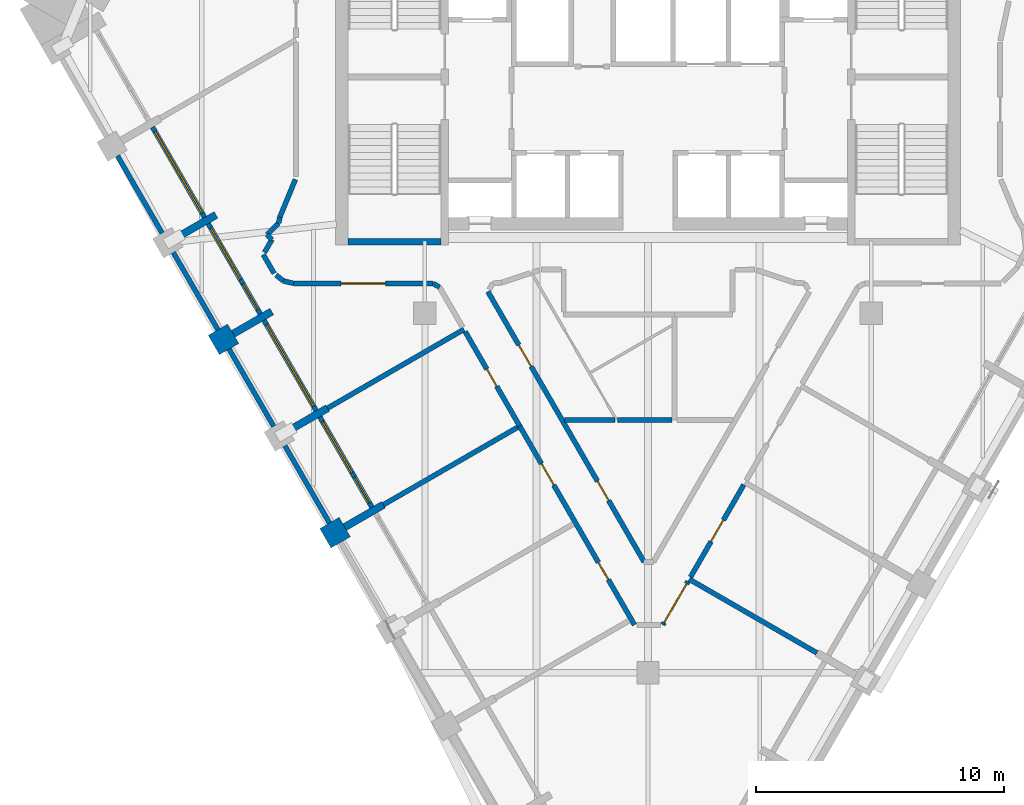
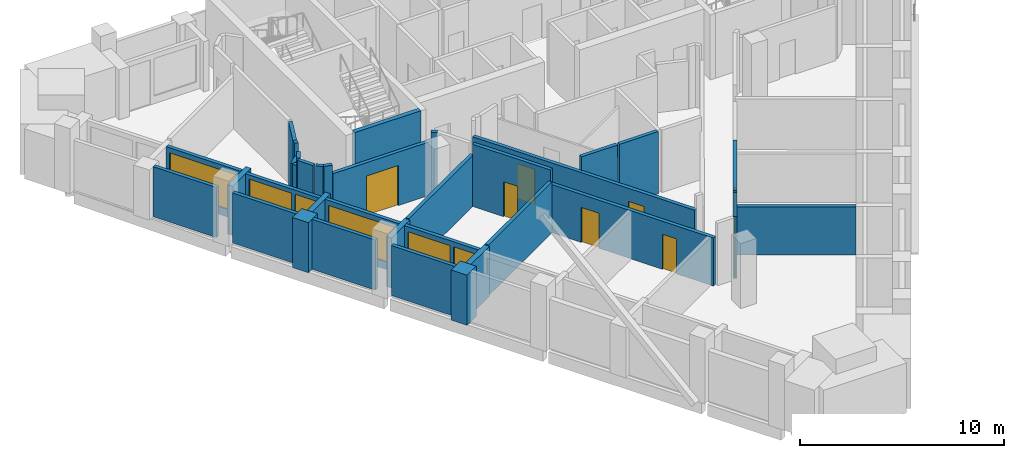
# One storey, part 3 of 9: 35 walls, 10 doors, 4 windows, 14 openings.
"""IFC4 building model written with IfcOpenShell, lengths in metres."""

from ifc_helpers import new_model, si_unit, direction, frame, frame_2d, origin, place, context, subcontext, project, spatial, rectangle, extrude, material, layer, layer_set, type_object, element, fill, save


model = new_model("IFC4")

# Units and contexts
model_context = context("Model", 3, precision=1e-05, world=origin(), true_north=direction((0.0, 1.0)))
body_context = subcontext(model_context, "Body", "Model", "MODEL_VIEW")
ifc_project = project(units=[si_unit("LENGTHUNIT", "METRE"), si_unit("AREAUNIT", "SQUARE_METRE"), si_unit("VOLUMEUNIT", "CUBIC_METRE"), si_unit("PLANEANGLEUNIT", "RADIAN"), si_unit("MASSUNIT", "GRAM", prefix="KILO")], contexts=[model_context])

# Site, building, storey
site_placement = place(None, origin())
site = spatial("IfcSite", under=ifc_project, at=site_placement, CompositionType="ELEMENT")
building_placement = place(site_placement, origin())
building = spatial("IfcBuilding", under=site, at=building_placement, Name="Calabash Gate Tower", CompositionType="ELEMENT")
storey_placement = place(building_placement, frame((0.0, 0.0, 256.0)))
storey = spatial("IfcBuildingStorey", under=building, at=storey_placement, Name="L61", CompositionType="ELEMENT", Elevation=256.0)

# Walls
ifc_material_1 = material(Name="Terracotta brick masonry, exposed face", Category="masonry")
ifc_layer_1 = layer(ifc_material_1, 0.89990234375)
ifc_layer_set_1 = layer_set([ifc_layer_1], Name="Brick end wall 900")
wall_type_1 = type_object("IfcWallType", Name="Brick end wall 900", PredefinedType="SOLIDWALL", material=ifc_layer_set_1)
for number, where, z_axis, x_axis, name in (
    (1, (-17.512451171875, 1.2158203125, 0.0), (0.0, 0.0, 1.0), (0.865896406789, 0.500223362819, 0.0), "Brick pier S17 SW0.3"),
    (2, (-13.012451171875, -6.578369140625, 0.0), (0.0, 0.0, 1.0), (0.866013897511, 0.50001992892, 0.0), "Brick pier S17 SW0.5"),
):
    element("IfcWall", number, at=place(storey_placement, frame(where, z_axis=z_axis, x_axis=x_axis)), inside=storey, type_object=wall_type_1, Name=name, PredefinedType="SOLIDWALL", context=body_context, shape_type="SweptSolid", body=[
        extrude(rectangle(XDim=0.89990234375, YDim=0.89990234375, at=frame_2d((0.449951171875, 0.0))), origin(), (0.0, 0.0, 1.0), 3.0),
    ])
ifc_material_2 = material(Name="Terracotta brick masonry, exposed face", Category="masonry")
ifc_layer_2 = layer(ifc_material_2, 0.300048828125)
ifc_layer_set_2 = layer_set([ifc_layer_2], Name="Brick loggia cheek wall 300")
wall_type_2 = type_object("IfcWallType", Name="Brick loggia cheek wall 300", PredefinedType="SOLIDWALL", material=ifc_layer_set_2)
wall_1_placement = place(storey_placement, frame((-17.42431640625, 6.462890625, 0.0), z_axis=(0.0, 0.0, 1.0), x_axis=(-0.866047807691, -0.499961193289, 0.0)))
element("IfcWall", 3, at=wall_1_placement, inside=storey, type_object=wall_type_2, Name="Loggia cheek S17 SW0.2", PredefinedType="SOLIDWALL", context=body_context, shape_type="SweptSolid", body=[
    extrude(rectangle(XDim=1.800048828125, YDim=0.300048828125, at=frame_2d((0.89990234375, 0.0))), origin(), (0.0, 0.0, 1.0), 2.9501953125),
])
for number, where, z_axis, x_axis, name in (
    (4, (-15.17431640625, 2.56591796875, 0.0), (0.0, 0.0, 1.0), (-0.866047807691, -0.499961193289, 0.0), "Loggia cheek S17 SW0.3"),
    (5, (-14.483154296875, -2.231201171875, 0.0), (0.0, 0.0, 1.0), (0.866047807691, 0.499961193289, 0.0), "Loggia cheek S17 SW0.4"),
    (6, (-12.233154296875, -6.12841796875, 0.0), (0.0, 0.0, 1.0), (0.865989075817, 0.500062916607, 0.0), "Loggia cheek S17 SW0.5"),
):
    element("IfcWall", number, at=place(storey_placement, frame(where, z_axis=z_axis, x_axis=x_axis)), inside=storey, type_object=wall_type_2, Name=name, PredefinedType="SOLIDWALL", context=body_context, shape_type="SweptSolid", body=[
        extrude(rectangle(XDim=1.800048828125, YDim=0.300048828125, at=frame_2d((0.89990234375, 0.0))), origin(), (0.0, 0.0, 1.0), 3.0),
    ])
ifc_material_3 = material(Name="Concrete C60/75", Category="concrete")
ifc_layer_3 = layer(ifc_material_3, 0.25)
ifc_layer_set_3 = layer_set([ifc_layer_3], Name="Core wall 250 Concrete C60/75")
wall_type_3 = type_object("IfcWallType", Name="Core wall 250 Concrete C60/75", PredefinedType="SHEAR", material=ifc_layer_set_3)
wall_2_placement = place(storey_placement, frame((-12.10009765625, 5.377685546875, 0.0), z_axis=(0.0, 0.0, 1.0), x_axis=(1.0, 0.0, 0.0)))
element("IfcWall", 7, at=wall_2_placement, inside=storey, type_object=wall_type_3, Name="Core wall Z5-SSW L61", PredefinedType="SHEAR", context=body_context, shape_type="SweptSolid", body=[
    extrude(rectangle(XDim=3.75, YDim=0.25, at=frame_2d((1.875, 0.0))), origin(), (0.0, 0.0, 1.0), 3.89990234375),
])

# Wall, openings, doors
ifc_material_4 = material(Name="Gypsum board on steel studs, mineral wool", Category="steel")
ifc_layer_4 = layer(ifc_material_4, 0.199951171875)
ifc_layer_set_4 = layer_set([ifc_layer_4], Name="Partition 200 gypsum board EI 60")
wall_type_4 = type_object("IfcWallType", Name="Partition 200 gypsum board EI 60", PredefinedType="PARTITIONING", material=ifc_layer_set_4)
wall_3_placement = place(storey_placement, frame((-5.176513671875, -2.054443359375, 0.0), z_axis=(0.0, 0.0, 1.0), x_axis=(0.499987206771, -0.866032789833, 0.0)))
wall_3 = element("IfcWall", 8, at=wall_3_placement, inside=storey, type_object=wall_type_4, Name="Partition", PredefinedType="PARTITIONING", context=body_context, shape_type="SweptSolid", body=[
    extrude(rectangle(XDim=9.259521484375, YDim=0.199951171875, at=frame_2d((4.6298828125, 0.0))), origin(), (0.0, 0.0, 1.0), 2.884033203125),
])
opening_1_placement = place(wall_3_placement, frame((1.75, 0.0, 0.0)))
opening_1 = element("IfcOpeningElement", 9, at=opening_1_placement, cuts=wall_3, Name="Opening 59-61-002", PredefinedType="OPENING", context=body_context, shape_type="SweptSolid", body=[
    extrude(rectangle(XDim=1.0, YDim=2.10009765625, at=frame_2d((0.5, 1.050048828125))), frame((0.0, 0.10986328125, 0.0), z_axis=(0.0, -1.0, 0.0), x_axis=(1.0, 0.0, 0.0)), (0.0, 0.0, 1.0), 0.219970703125),
])
opening_2_placement = place(wall_3_placement, frame((6.349853515625, 0.0, 0.0)))
opening_2 = element("IfcOpeningElement", 10, at=opening_2_placement, cuts=wall_3, Name="Opening 59-61-003", PredefinedType="OPENING", context=body_context, shape_type="SweptSolid", body=[
    extrude(rectangle(XDim=0.800048828125, YDim=2.10009765625, at=frame_2d((0.39990234375, 1.050048828125))), frame((0.0, 0.10986328125, 0.0), z_axis=(0.0, -1.0, 0.0), x_axis=(1.0, 0.0, 0.0)), (0.0, 0.0, 1.0), 0.219970703125),
])
ifc_material_5 = material(Name="Steel fire door set with fire-resisting glazing", Category="steel")
door_type_1 = type_object("IfcDoorType", Name="LD2 Meeting room door 1000x2100", OperationType="NOTDEFINED", PredefinedType="DOOR", material=ifc_material_5)
door_1_placement = place(opening_1_placement, origin())
door_1 = element("IfcDoor", 11, at=door_1_placement, inside=storey, type_object=door_type_1, Name="Meeting room door", OperationType="SINGLE_SWING_LEFT", OverallHeight=2.10009765625, OverallWidth=1.0, PredefinedType="DOOR", context=body_context, shape_type="SweptSolid", body=[
    extrude(rectangle(XDim=1.0, YDim=2.10009765625, at=frame_2d((0.5, 1.050048828125))), frame((0.0, 0.02490234375, 0.0), z_axis=(0.0, -1.0, 0.0), x_axis=(1.0, 0.0, 0.0)), (0.0, 0.0, 1.0), 0.050048828125),
])
fill(opening_1, door_1)
ifc_material_6 = material(Name="Painted timber door", Category="wood")
door_type_2 = type_object("IfcDoorType", Name="OD4 Phone booth door 800x2100", OperationType="NOTDEFINED", PredefinedType="DOOR", material=ifc_material_6)
door_2_placement = place(opening_2_placement, origin())
door_2 = element("IfcDoor", 12, at=door_2_placement, inside=storey, type_object=door_type_2, Name="Phone booth door", OperationType="SINGLE_SWING_LEFT", OverallHeight=2.10009765625, OverallWidth=0.800048828125, PredefinedType="DOOR", context=body_context, shape_type="SweptSolid", body=[
    extrude(rectangle(XDim=0.800048828125, YDim=2.10009765625, at=frame_2d((0.39990234375, 1.050048828125))), frame((0.0, 0.02490234375, 0.0), z_axis=(0.0, -1.0, 0.0), x_axis=(1.0, 0.0, 0.0)), (0.0, 0.0, 1.0), 0.050048828125),
])
fill(opening_2, door_2)

# Wall, opening, door
wall_4_placement = place(storey_placement, frame((0.597900390625, -10.072509765625, 0.0), z_axis=(0.0, 0.0, 1.0), x_axis=(0.500670744682, 0.865637802675, 0.0)))
wall_4 = element("IfcWall", 13, at=wall_4_placement, inside=storey, type_object=wall_type_4, Name="Partition", PredefinedType="PARTITIONING", context=body_context, shape_type="SweptSolid", body=[
    extrude(rectangle(XDim=2.027587890625, YDim=0.199951171875, at=frame_2d((1.013671875, 0.0))), origin(), (0.0, 0.0, 1.0), 3.72998046875),
])
opening_3_placement = place(wall_4_placement, frame((0.10693359375, 0.0, 0.0)))
opening_3 = element("IfcOpeningElement", 14, at=opening_3_placement, cuts=wall_4, Name="Opening 59-61-012", PredefinedType="OPENING", context=body_context, shape_type="SweptSolid", body=[
    extrude(rectangle(XDim=1.800048828125, YDim=2.39990234375, at=frame_2d((0.89990234375, 1.199951171875))), frame((0.0, 0.10986328125, 0.0), z_axis=(0.0, -1.0, 0.0), x_axis=(1.0, 0.0, 0.0)), (0.0, 0.0, 1.0), 0.219970703125),
])
ifc_material_7 = material(Name="Steel fire door set with fire-resisting glazing", Category="steel")
door_type_3 = type_object("IfcDoorType", Name="OD5 Open office double door 1800x2400", OperationType="NOTDEFINED", PredefinedType="DOOR", material=ifc_material_7)
door_3_placement = place(opening_3_placement, origin())
door_3 = element("IfcDoor", 15, at=door_3_placement, inside=storey, type_object=door_type_3, Name="Open office double door", OperationType="DOUBLE_DOOR_SINGLE_SWING", OverallHeight=2.39990234375, OverallWidth=1.800048828125, PredefinedType="DOOR", context=body_context, shape_type="SweptSolid", body=[
    extrude(rectangle(XDim=1.800048828125, YDim=2.39990234375, at=frame_2d((0.89990234375, 1.199951171875))), frame((0.0, 0.02490234375, 0.0), z_axis=(0.0, -1.0, 0.0), x_axis=(1.0, 0.0, 0.0)), (0.0, 0.0, 1.0), 0.050048828125),
])
fill(opening_3, door_3)

# Wall
wall_5_placement = place(storey_placement, frame((1.660888671875, -8.2314453125, 0.0), z_axis=(0.0, 0.0, 1.0), x_axis=(0.866162357873, -0.499762713499, 0.0)))
element("IfcWall", 16, at=wall_5_placement, inside=storey, type_object=wall_type_4, Name="Partition", PredefinedType="PARTITIONING", context=body_context, shape_type="SweptSolid", body=[
    extrude(rectangle(XDim=5.94970703125, YDim=0.199951171875, at=frame_2d((2.974853515625, 0.0))), origin(), (0.0, 0.0, 1.0), 2.884033203125),
])

# Wall, opening, door
wall_6_placement = place(storey_placement, frame((1.71337890625, -8.143798828125, 0.0), z_axis=(0.0, 0.0, 1.0), x_axis=(0.499986217557, 0.866033360935, 0.0)))
wall_6 = element("IfcWall", 17, at=wall_6_placement, inside=storey, type_object=wall_type_4, Name="Partition", PredefinedType="PARTITIONING", context=body_context, shape_type="SweptSolid", body=[
    extrude(rectangle(XDim=4.2998046875, YDim=0.199951171875, at=frame_2d((2.14990234375, 0.0))), origin(), (0.0, 0.0, 1.0), 3.72998046875),
])
opening_4_placement = place(wall_6_placement, frame((1.64990234375, 0.0, 0.0)))
opening_4 = element("IfcOpeningElement", 18, at=opening_4_placement, cuts=wall_6, Name="Opening 59-61-004", PredefinedType="OPENING", context=body_context, shape_type="SweptSolid", body=[
    extrude(rectangle(XDim=1.0, YDim=2.10009765625, at=frame_2d((0.5, 1.050048828125))), frame((0.0, 0.10986328125, 0.0), z_axis=(0.0, -1.0, 0.0), x_axis=(1.0, 0.0, 0.0)), (0.0, 0.0, 1.0), 0.219970703125),
])
door_4_placement = place(opening_4_placement, origin())
door_4 = element("IfcDoor", 19, at=door_4_placement, inside=storey, type_object=door_type_1, Name="Meeting room door", OperationType="SINGLE_SWING_LEFT", OverallHeight=2.10009765625, OverallWidth=1.0, PredefinedType="DOOR", context=body_context, shape_type="SweptSolid", body=[
    extrude(rectangle(XDim=1.0, YDim=2.10009765625, at=frame_2d((0.5, 1.050048828125))), frame((0.0, 0.02490234375, 0.0), z_axis=(0.0, -1.0, 0.0), x_axis=(1.0, 0.0, 0.0)), (0.0, 0.0, 1.0), 0.050048828125),
])
fill(opening_4, door_4)

# Wall
wall_7_placement = place(storey_placement, frame((-10.67431640625, -5.228515625, 0.0), z_axis=(0.0, 0.0, 1.0), x_axis=(0.866163474566, 0.4997607781, 0.0)))
element("IfcWall", 20, at=wall_7_placement, inside=storey, type_object=wall_type_4, Name="Partition", PredefinedType="PARTITIONING", context=body_context, shape_type="SweptSolid", body=[
    extrude(rectangle(XDim=6.25, YDim=0.199951171875, at=frame_2d((3.125, 0.0))), origin(), (0.0, 0.0, 1.0), 3.052001953125),
])

# Wall, opening, door
wall_8_placement = place(storey_placement, frame((-7.376708984375, 1.756103515625, 0.0), z_axis=(0.0, 0.0, 1.0), x_axis=(0.50001224981, -0.866018331238, 0.0)))
wall_8 = element("IfcWall", 21, at=wall_8_placement, inside=storey, type_object=wall_type_4, Name="Partition", PredefinedType="PARTITIONING", context=body_context, shape_type="SweptSolid", body=[
    extrude(rectangle(XDim=4.39990234375, YDim=0.199951171875, at=frame_2d((2.199951171875, 0.0))), origin(), (0.0, 0.0, 1.0), 3.72998046875),
])
opening_5_placement = place(wall_8_placement, frame((1.75, 0.0, 0.0)))
opening_5 = element("IfcOpeningElement", 22, at=opening_5_placement, cuts=wall_8, Name="Opening 59-61-001", PredefinedType="OPENING", context=body_context, shape_type="SweptSolid", body=[
    extrude(rectangle(XDim=0.800048828125, YDim=2.10009765625, at=frame_2d((0.39990234375, 1.050048828125))), frame((0.0, 0.10986328125, 0.0), z_axis=(0.0, -1.0, 0.0), x_axis=(1.0, 0.0, 0.0)), (0.0, 0.0, 1.0), 0.219970703125),
])
ifc_material_8 = material(Name="Steel fire door set with fire-resisting glazing", Category="steel")
door_type_4 = type_object("IfcDoorType", Name="SD2 Riser access door 800x2100", OperationType="NOTDEFINED", PredefinedType="DOOR", material=ifc_material_8)
door_5_placement = place(opening_5_placement, origin())
door_5 = element("IfcDoor", 23, at=door_5_placement, inside=storey, type_object=door_type_4, Name="Riser access door", OperationType="SINGLE_SWING_RIGHT", OverallHeight=2.10009765625, OverallWidth=0.800048828125, PredefinedType="DOOR", context=body_context, shape_type="SweptSolid", body=[
    extrude(rectangle(XDim=0.800048828125, YDim=2.10009765625, at=frame_2d((0.39990234375, 1.050048828125))), frame((0.0, 0.02490234375, 0.0), z_axis=(0.0, -1.0, 0.0), x_axis=(1.0, 0.0, 0.0)), (0.0, 0.0, 1.0), 0.050048828125),
])
fill(opening_5, door_5)

# Walls
wall_9_placement = place(storey_placement, frame((-3.36962890625, -1.80322265625, 0.0), z_axis=(0.0, 0.0, 1.0), x_axis=(0.999999992849, 0.000119588614, 0.0)))
element("IfcWall", 24, at=wall_9_placement, inside=storey, type_object=wall_type_4, Name="Partition", PredefinedType="PARTITIONING", context=body_context, shape_type="SweptSolid", body=[
    extrude(rectangle(XDim=2.04150390625, YDim=0.199951171875, at=frame_2d((1.020751953125, 0.0))), origin(), (0.0, 0.0, 1.0), 3.72998046875),
])
wall_10_placement = place(storey_placement, frame((-1.226806640625, -1.8046875, 0.0), z_axis=(0.0, 0.0, 1.0), x_axis=(0.999999698604, 0.000776397282, 0.0)))
element("IfcWall", 25, at=wall_10_placement, inside=storey, type_object=wall_type_4, Name="Partition", PredefinedType="PARTITIONING", context=body_context, shape_type="SweptSolid", body=[
    extrude(rectangle(XDim=2.201171875, YDim=0.199951171875, at=frame_2d((1.1005859375, 0.0))), origin(), (0.0, 0.0, 1.0), 3.72998046875),
])
wall_11_placement = place(storey_placement, frame((-12.924560546875, -1.330810546875, 0.0), z_axis=(0.0, 0.0, 1.0), x_axis=(0.865907634831, 0.500203926355, 0.0)))
element("IfcWall", 26, at=wall_11_placement, inside=storey, type_object=wall_type_4, Name="Partition", PredefinedType="PARTITIONING", context=body_context, shape_type="SweptSolid", body=[
    extrude(rectangle(XDim=6.349365234375, YDim=0.199951171875, at=frame_2d((3.1748046875, 0.0))), origin(), (0.0, 0.0, 1.0), 3.052001953125),
])

# Wall, openings, doors
wall_12_placement = place(storey_placement, frame((-6.45849609375, 3.3701171875, 0.0), z_axis=(0.0, 0.0, 1.0), x_axis=(0.500262411632, -0.86587384734, 0.0)))
wall_12 = element("IfcWall", 27, at=wall_12_placement, inside=storey, type_object=wall_type_4, Name="Partition", PredefinedType="PARTITIONING", context=body_context, shape_type="SweptSolid", body=[
    extrude(rectangle(XDim=12.588623046875, YDim=0.199951171875, at=frame_2d((6.29443359375, 0.0))), origin(), (0.0, 0.0, 1.0), 2.884033203125),
])
opening_6_placement = place(wall_12_placement, frame((8.83203125, 0.0, 0.0)))
opening_6 = element("IfcOpeningElement", 28, at=opening_6_placement, cuts=wall_12, Name="Opening 59-61-007", PredefinedType="OPENING", context=body_context, shape_type="SweptSolid", body=[
    extrude(rectangle(XDim=0.89990234375, YDim=2.10009765625, at=frame_2d((0.449951171875, 1.050048828125))), frame((0.0, 0.10986328125, 0.0), z_axis=(0.0, -1.0, 0.0), x_axis=(1.0, 0.0, 0.0)), (0.0, 0.0, 1.0), 0.219970703125),
])
opening_7_placement = place(wall_12_placement, frame((2.48779296875, 0.0, 0.0)))
opening_7 = element("IfcOpeningElement", 29, at=opening_7_placement, cuts=wall_12, Name="Opening 59-61-013", PredefinedType="OPENING", context=body_context, shape_type="SweptSolid", body=[
    extrude(rectangle(XDim=1.0, YDim=2.10009765625, at=frame_2d((0.5, 1.050048828125))), frame((0.0, 0.10986328125, 0.0), z_axis=(0.0, -1.0, 0.0), x_axis=(1.0, 0.0, 0.0)), (0.0, 0.0, 1.0), 0.219970703125),
])
ifc_material_9 = material(Name="Steel fire door set with fire-resisting glazing", Category="steel")
door_type_5 = type_object("IfcDoorType", Name="SD3 Store door 900x2100", OperationType="NOTDEFINED", PredefinedType="DOOR", material=ifc_material_9)
door_6_placement = place(opening_6_placement, origin())
door_6 = element("IfcDoor", 30, at=door_6_placement, inside=storey, type_object=door_type_5, Name="Store door", OperationType="SINGLE_SWING_RIGHT", OverallHeight=2.10009765625, OverallWidth=0.89990234375, PredefinedType="DOOR", context=body_context, shape_type="SweptSolid", body=[
    extrude(rectangle(XDim=0.89990234375, YDim=2.10009765625, at=frame_2d((0.449951171875, 1.050048828125))), frame((0.0, 0.02490234375, 0.0), z_axis=(0.0, -1.0, 0.0), x_axis=(1.0, 0.0, 0.0)), (0.0, 0.0, 1.0), 0.050048828125),
])
fill(opening_6, door_6)
ifc_material_10 = material(Name="Steel fire door set with fire-resisting glazing", Category="steel")
door_type_6 = type_object("IfcDoorType", Name="WD3 WC lobby door 1000x2100", OperationType="NOTDEFINED", PredefinedType="DOOR", material=ifc_material_10)
door_7_placement = place(opening_7_placement, origin())
door_7 = element("IfcDoor", 31, at=door_7_placement, inside=storey, type_object=door_type_6, Name="WC lobby door", OperationType="SINGLE_SWING_LEFT", OverallHeight=2.10009765625, OverallWidth=1.0, PredefinedType="DOOR", context=body_context, shape_type="SweptSolid", body=[
    extrude(rectangle(XDim=1.0, YDim=2.10009765625, at=frame_2d((0.5, 1.050048828125))), frame((0.0, 0.02490234375, 0.0), z_axis=(0.0, -1.0, 0.0), x_axis=(1.0, 0.0, 0.0)), (0.0, 0.0, 1.0), 0.050048828125),
])
fill(opening_7, door_7)

# Walls
wall_13_placement = place(storey_placement, frame((-8.673583984375, 3.699462890625, 0.0), z_axis=(0.0, 0.0, 1.0), x_axis=(0.865826662844, -0.500344071524, 0.0)))
element("IfcWall", 32, at=wall_13_placement, inside=storey, type_object=wall_type_4, Name="Partition", PredefinedType="PARTITIONING", context=body_context, shape_type="SweptSolid", body=[
    extrude(rectangle(XDim=0.305908203125, YDim=0.199951171875, at=frame_2d((0.15283203125, 0.0))), origin(), (0.0, 0.0, 1.0), 3.72998046875),
])
wall_14_placement = place(storey_placement, frame((-14.716796875, 3.80517578125, 0.0), z_axis=(0.0, 0.0, 1.0), x_axis=(0.970273866593, -0.242009553131, 0.0)))
element("IfcWall", 33, at=wall_14_placement, inside=storey, type_object=wall_type_4, Name="Partition", PredefinedType="PARTITIONING", context=body_context, shape_type="SweptSolid", body=[
    extrude(rectangle(XDim=0.436767578125, YDim=0.199951171875, at=frame_2d((0.21826171875, 0.0))), origin(), (0.0, 0.0, 1.0), 3.72998046875),
])

# Wall, opening, door
wall_15_placement = place(storey_placement, frame((-14.29296875, 3.699462890625, 0.0), z_axis=(0.0, 0.0, 1.0), x_axis=(1.0, 0.0, 0.0)))
wall_15 = element("IfcWall", 34, at=wall_15_placement, inside=storey, type_object=wall_type_4, Name="Partition", PredefinedType="PARTITIONING", context=body_context, shape_type="SweptSolid", body=[
    extrude(rectangle(XDim=5.619384765625, YDim=0.199951171875, at=frame_2d((2.8095703125, 0.0))), origin(), (0.0, 0.0, 1.0), 3.201904296875),
])
opening_8_placement = place(wall_15_placement, frame((1.90966796875, 0.0, 0.0)))
opening_8 = element("IfcOpeningElement", 35, at=opening_8_placement, cuts=wall_15, Name="Opening 59-61-008", PredefinedType="OPENING", context=body_context, shape_type="SweptSolid", body=[
    extrude(rectangle(XDim=1.800048828125, YDim=2.39990234375, at=frame_2d((0.89990234375, 1.199951171875))), frame((0.0, 0.10986328125, 0.0), z_axis=(0.0, -1.0, 0.0), x_axis=(1.0, 0.0, 0.0)), (0.0, 0.0, 1.0), 0.219970703125),
])
door_8_placement = place(opening_8_placement, origin())
door_8 = element("IfcDoor", 36, at=door_8_placement, inside=storey, type_object=door_type_3, Name="Open office double door", OperationType="DOUBLE_DOOR_SINGLE_SWING", OverallHeight=2.39990234375, OverallWidth=1.800048828125, PredefinedType="DOOR", context=body_context, shape_type="SweptSolid", body=[
    extrude(rectangle(XDim=1.800048828125, YDim=2.39990234375, at=frame_2d((0.89990234375, 1.199951171875))), frame((0.0, 0.02490234375, 0.0), z_axis=(0.0, -1.0, 0.0), x_axis=(1.0, 0.0, 0.0)), (0.0, 0.0, 1.0), 0.050048828125),
])
fill(opening_8, door_8)

# Walls
wall_16_placement = place(storey_placement, frame((-15.002197265625, 4.0380859375, 0.0), z_axis=(0.0, 0.0, 1.0), x_axis=(0.774753953522, -0.632262850009, 0.0)))
element("IfcWall", 37, at=wall_16_placement, inside=storey, type_object=wall_type_4, Name="Partition", PredefinedType="PARTITIONING", context=body_context, shape_type="SweptSolid", body=[
    extrude(rectangle(XDim=0.368408203125, YDim=0.199951171875, at=frame_2d((0.18408203125, 0.0))), origin(), (0.0, 0.0, 1.0), 3.72998046875),
])
wall_17_placement = place(storey_placement, frame((-15.519287109375, 4.862548828125, 0.0), z_axis=(0.0, 0.0, 1.0), x_axis=(0.499962889934, -0.866046828231, 0.0)))
element("IfcWall", 38, at=wall_17_placement, inside=storey, type_object=wall_type_4, Name="Partition", PredefinedType="PARTITIONING", context=body_context, shape_type="SweptSolid", body=[
    extrude(rectangle(XDim=0.87890625, YDim=0.199951171875, at=frame_2d((0.439453125, 0.0))), origin(), (0.0, 0.0, 1.0), 3.72998046875),
])
wall_18_placement = place(storey_placement, frame((-15.46923828125, 4.94921875, 0.0), z_axis=(0.0, 0.0, 1.0), x_axis=(0.499805408949, 0.866137721835, 0.0)))
element("IfcWall", 39, at=wall_18_placement, inside=storey, type_object=wall_type_4, Name="Partition", PredefinedType="PARTITIONING", context=body_context, shape_type="SweptSolid", body=[
    extrude(rectangle(XDim=0.594482421875, YDim=0.199951171875, at=frame_2d((0.29736328125, 0.0))), origin(), (0.0, 0.0, 1.0), 3.72998046875),
])
wall_19_placement = place(storey_placement, frame((-15.3671875, 5.6591796875, 0.0), z_axis=(0.0, 0.0, 1.0), x_axis=(0.707106781187, -0.707106781187, 0.0)))
element("IfcWall", 40, at=wall_19_placement, inside=storey, type_object=wall_type_4, Name="Partition", PredefinedType="PARTITIONING", context=body_context, shape_type="SweptSolid", body=[
    extrude(rectangle(XDim=0.27587890625, YDim=0.199951171875, at=frame_2d((0.137939453125, 0.0))), origin(), (0.0, 0.0, 1.0), 2.9501953125),
])
wall_20_placement = place(storey_placement, frame((-15.3671875, 5.6591796875, 0.0), z_axis=(0.0, 0.0, 1.0), x_axis=(0.706922278448, 0.707291235796, 0.0)))
element("IfcWall", 41, at=wall_20_placement, inside=storey, type_object=wall_type_4, Name="Partition", PredefinedType="PARTITIONING", context=body_context, shape_type="SweptSolid", body=[
    extrude(rectangle(XDim=0.66162109375, YDim=0.199951171875, at=frame_2d((0.330810546875, 0.0))), origin(), (0.0, 0.0, 1.0), 2.9501953125),
])
wall_21_placement = place(storey_placement, frame((-14.8994140625, 6.127197265625, 0.0), z_axis=(0.0, 0.0, 1.0), x_axis=(0.194433250977, 0.980915751181, 0.0)))
element("IfcWall", 42, at=wall_21_placement, inside=storey, type_object=wall_type_4, Name="Partition", PredefinedType="PARTITIONING", context=body_context, shape_type="SweptSolid", body=[
    extrude(rectangle(XDim=0.251220703125, YDim=0.199951171875, at=frame_2d((0.12548828125, 0.0))), origin(), (0.0, 0.0, 1.0), 3.72998046875),
])
wall_22_placement = place(storey_placement, frame((-14.8505859375, 6.37353515625, 0.0), z_axis=(0.0, 0.0, 1.0), x_axis=(0.380697489052, 0.924699638709, 0.0)))
element("IfcWall", 43, at=wall_22_placement, inside=storey, type_object=wall_type_4, Name="Partition", PredefinedType="PARTITIONING", context=body_context, shape_type="SweptSolid", body=[
    extrude(rectangle(XDim=1.64306640625, YDim=0.199951171875, at=frame_2d((0.821533203125, 0.0))), origin(), (0.0, 0.0, 1.0), 3.72998046875),
])
ifc_material_11 = material(Name="Terracotta brick masonry, perforated", Category="masonry")
ifc_layer_5 = layer(ifc_material_11, 0.199951171875)
ifc_layer_set_5 = layer_set([ifc_layer_5], Name="Terracotta jaali screen A")
wall_type_5 = type_object("IfcWallType", Name="Terracotta jaali screen A", PredefinedType="SOLIDWALL", material=ifc_layer_set_5)
for number, where, z_axis, x_axis, name in (
    (44, (-21.39794921875, 8.845458984375, 0.0), (0.0, 0.0, 1.0), (0.500012057535, -0.866018442252, 0.0), "SCREEN A S17 SW0.2"),
    (45, (-19.14794921875, 4.9482421875, 0.0), (0.0, 0.0, 1.0), (0.500012057535, -0.866018442252, 0.0), "SCREEN A S17 SW0.3"),
    (46, (-16.89794921875, 1.05126953125, 0.0), (0.0, 0.0, 1.0), (0.500012057535, -0.866018442252, 0.0), "SCREEN A S17 SW0.4"),
    (47, (-14.64794921875, -2.845947265625, 0.0), (0.0, 0.0, 1.0), (0.500012057535, -0.866018442252, 0.0), "SCREEN A S17 SW0.5"),
):
    element("IfcWall", number, at=place(storey_placement, frame(where, z_axis=z_axis, x_axis=x_axis)), inside=storey, type_object=wall_type_5, Name=name, PredefinedType="SOLIDWALL", context=body_context, shape_type="SweptSolid", body=[
        extrude(rectangle(XDim=3.60009765625, YDim=0.199951171875, at=frame_2d((1.800048828125, 0.0))), origin(), (0.0, 0.0, 1.0), 3.0),
    ])

# Wall, opening, window
ifc_material_12 = material(Name="Aluminium framed window wall with insulated spandrel", Category="aluminium")
ifc_layer_6 = layer(ifc_material_12, 0.199951171875)
ifc_layer_set_6 = layer_set([ifc_layer_6], Name="Window wall 200")
wall_type_6 = type_object("IfcWallType", Name="Window wall 200", PredefinedType="ELEMENTEDWALL", material=ifc_layer_set_6)
wall_23_placement = place(storey_placement, frame((-19.989013671875, 10.005126953125, 0.0), z_axis=(0.0, 0.0, 1.0), x_axis=(0.500027713859, -0.866009402589, 0.0)))
wall_23 = element("IfcWall", 48, at=wall_23_placement, inside=storey, type_object=wall_type_6, Name="Window wall S17 SW0.2", PredefinedType="ELEMENTEDWALL", context=body_context, shape_type="SweptSolid", body=[
    extrude(rectangle(XDim=4.199951171875, YDim=0.199951171875, at=frame_2d((2.10009765625, 0.0))), origin(), (0.0, 0.0, 1.0), 3.0),
])
opening_9_placement = place(wall_23_placement, frame((0.199951171875, 0.0, 0.449951171875)))
opening_9 = element("IfcOpeningElement", 49, at=opening_9_placement, cuts=wall_23, Name="Opening OW2", PredefinedType="OPENING", context=body_context, shape_type="SweptSolid", body=[
    extrude(rectangle(XDim=3.800048828125, YDim=2.25, at=frame_2d((1.89990234375, 1.125))), frame((0.0, 0.10986328125, 0.0), z_axis=(0.0, -1.0, 0.0), x_axis=(1.0, 0.0, 0.0)), (0.0, 0.0, 1.0), 0.219970703125),
])
ifc_material_13 = material(Name="Anodised aluminium frame, bronze finish, impact-rated laminated clear glazing", Category="aluminium")
window_type_1 = type_object("IfcWindowType", Name="Window OW2 3800x2250", PartitioningType="TRIPLE_PANEL_VERTICAL", PredefinedType="WINDOW", material=ifc_material_13)
window_1_placement = place(opening_9_placement, origin())
window_1 = element("IfcWindow", 50, at=window_1_placement, inside=storey, type_object=window_type_1, Name="Window OW2 S17 SW0.2", OverallHeight=2.25, OverallWidth=3.800048828125, PartitioningType="SINGLE_PANEL", PredefinedType="WINDOW", context=body_context, shape_type="SweptSolid", body=[
    extrude(rectangle(XDim=3.800048828125, YDim=2.25, at=frame_2d((1.89990234375, 1.125))), frame((0.0, 0.030029296875, 0.0), z_axis=(0.0, -1.0, 0.0), x_axis=(1.0, 0.0, 0.0)), (0.0, 0.0, 1.0), 0.06005859375),
])
fill(opening_9, window_1)

# Wall, openings, door, window
wall_24_placement = place(storey_placement, frame((-17.739013671875, 6.108154296875, 0.0), z_axis=(0.0, 0.0, 1.0), x_axis=(0.500002543286, -0.866023935413, 0.0)))
wall_24 = element("IfcWall", 51, at=wall_24_placement, inside=storey, type_object=wall_type_6, Name="Window wall S17 SW0.3", PredefinedType="ELEMENTEDWALL", context=body_context, shape_type="SweptSolid", body=[
    extrude(rectangle(XDim=4.2001953125, YDim=0.199951171875, at=frame_2d((2.10009765625, 0.0))), origin(), (0.0, 0.0, 1.0), 2.9501953125),
])
opening_10_placement = place(wall_24_placement, frame((0.199951171875, 0.0, 0.449951171875)))
opening_10 = element("IfcOpeningElement", 52, at=opening_10_placement, cuts=wall_24, Name="Opening OW1", PredefinedType="OPENING", context=body_context, shape_type="SweptSolid", body=[
    extrude(rectangle(XDim=2.39990234375, YDim=2.25, at=frame_2d((1.199951171875, 1.125))), frame((0.0, 0.10986328125, 0.0), z_axis=(0.0, -1.0, 0.0), x_axis=(1.0, 0.0, 0.0)), (0.0, 0.0, 1.0), 0.219970703125),
])
opening_11_placement = place(wall_24_placement, frame((2.800048828125, 0.0, 0.0)))
opening_11 = element("IfcOpeningElement", 53, at=opening_11_placement, cuts=wall_24, Name="Opening O9-018", PredefinedType="OPENING", context=body_context, shape_type="SweptSolid", body=[
    extrude(rectangle(XDim=1.199951171875, YDim=2.699951171875, at=frame_2d((0.60009765625, 1.35009765625))), frame((0.0, 0.10986328125, 0.0), z_axis=(0.0, -1.0, 0.0), x_axis=(1.0, 0.0, 0.0)), (0.0, 0.0, 1.0), 0.219970703125),
])
ifc_material_14 = material(Name="Anodised aluminium frame, bronze finish, impact-rated laminated clear glazing", Category="aluminium")
door_type_7 = type_object("IfcDoorType", Name="Loggia door DO1 1200x2700", OperationType="SLIDING_TO_LEFT", PredefinedType="DOOR", material=ifc_material_14)
door_9_placement = place(opening_11_placement, origin())
door_9 = element("IfcDoor", 54, at=door_9_placement, inside=storey, type_object=door_type_7, Name="Loggia door S17 SW0.3", OperationType="SINGLE_SWING_LEFT", OverallHeight=2.699951171875, OverallWidth=1.199951171875, PredefinedType="DOOR", context=body_context, shape_type="SweptSolid", body=[
    extrude(rectangle(XDim=1.199951171875, YDim=2.699951171875, at=frame_2d((0.60009765625, 1.35009765625))), frame((0.0, 0.02490234375, 0.0), z_axis=(0.0, -1.0, 0.0), x_axis=(1.0, 0.0, 0.0)), (0.0, 0.0, 1.0), 0.050048828125),
])
fill(opening_11, door_9)
ifc_material_15 = material(Name="Anodised aluminium frame, bronze finish, impact-rated laminated clear glazing", Category="aluminium")
window_type_2 = type_object("IfcWindowType", Name="Window OW1 2400x2250", PartitioningType="DOUBLE_PANEL_VERTICAL", PredefinedType="WINDOW", material=ifc_material_15)
window_2_placement = place(opening_10_placement, origin())
window_2 = element("IfcWindow", 55, at=window_2_placement, inside=storey, type_object=window_type_2, Name="Window OW1 S17 SW0.3", OverallHeight=2.25, OverallWidth=2.39990234375, PartitioningType="SINGLE_PANEL", PredefinedType="WINDOW", context=body_context, shape_type="SweptSolid", body=[
    extrude(rectangle(XDim=2.39990234375, YDim=2.25, at=frame_2d((1.199951171875, 1.125))), frame((0.0, 0.030029296875, 0.0), z_axis=(0.0, -1.0, 0.0), x_axis=(1.0, 0.0, 0.0)), (0.0, 0.0, 1.0), 0.06005859375),
])
fill(opening_10, window_2)

# Wall, opening, window
wall_25_placement = place(storey_placement, frame((-15.489013671875, 2.2109375, 0.0), z_axis=(0.0, 0.0, 1.0), x_axis=(0.500027713859, -0.866009402589, 0.0)))
wall_25 = element("IfcWall", 56, at=wall_25_placement, inside=storey, type_object=wall_type_6, Name="Window wall S17 SW0.4", PredefinedType="ELEMENTEDWALL", context=body_context, shape_type="SweptSolid", body=[
    extrude(rectangle(XDim=4.199951171875, YDim=0.199951171875, at=frame_2d((2.10009765625, 0.0))), origin(), (0.0, 0.0, 1.0), 3.0),
])
opening_12_placement = place(wall_25_placement, frame((0.199951171875, 0.0, 0.449951171875)))
opening_12 = element("IfcOpeningElement", 57, at=opening_12_placement, cuts=wall_25, Name="Opening OW2", PredefinedType="OPENING", context=body_context, shape_type="SweptSolid", body=[
    extrude(rectangle(XDim=3.800048828125, YDim=2.25, at=frame_2d((1.89990234375, 1.125))), frame((0.0, 0.10986328125, 0.0), z_axis=(0.0, -1.0, 0.0), x_axis=(1.0, 0.0, 0.0)), (0.0, 0.0, 1.0), 0.219970703125),
])
window_3_placement = place(opening_12_placement, origin())
window_3 = element("IfcWindow", 58, at=window_3_placement, inside=storey, type_object=window_type_1, Name="Window OW2 S17 SW0.4", OverallHeight=2.25, OverallWidth=3.800048828125, PartitioningType="SINGLE_PANEL", PredefinedType="WINDOW", context=body_context, shape_type="SweptSolid", body=[
    extrude(rectangle(XDim=3.800048828125, YDim=2.25, at=frame_2d((1.89990234375, 1.125))), frame((0.0, 0.030029296875, 0.0), z_axis=(0.0, -1.0, 0.0), x_axis=(1.0, 0.0, 0.0)), (0.0, 0.0, 1.0), 0.06005859375),
])
fill(opening_12, window_3)

# Wall, openings, door, window
wall_26_placement = place(storey_placement, frame((-13.239013671875, -1.68603515625, 0.0), z_axis=(0.0, 0.0, 1.0), x_axis=(0.500002543286, -0.866023935413, 0.0)))
wall_26 = element("IfcWall", 59, at=wall_26_placement, inside=storey, type_object=wall_type_6, Name="Window wall S17 SW0.5", PredefinedType="ELEMENTEDWALL", context=body_context, shape_type="SweptSolid", body=[
    extrude(rectangle(XDim=4.2001953125, YDim=0.199951171875, at=frame_2d((2.10009765625, 0.0))), origin(), (0.0, 0.0, 1.0), 3.0),
])
opening_13_placement = place(wall_26_placement, frame((0.199951171875, 0.0, 0.449951171875)))
opening_13 = element("IfcOpeningElement", 60, at=opening_13_placement, cuts=wall_26, Name="Opening OW1", PredefinedType="OPENING", context=body_context, shape_type="SweptSolid", body=[
    extrude(rectangle(XDim=2.39990234375, YDim=2.25, at=frame_2d((1.199951171875, 1.125))), frame((0.0, 0.10986328125, 0.0), z_axis=(0.0, -1.0, 0.0), x_axis=(1.0, 0.0, 0.0)), (0.0, 0.0, 1.0), 0.219970703125),
])
opening_14_placement = place(wall_26_placement, frame((2.800048828125, 0.0, 0.0)))
opening_14 = element("IfcOpeningElement", 61, at=opening_14_placement, cuts=wall_26, Name="Opening O9-019", PredefinedType="OPENING", context=body_context, shape_type="SweptSolid", body=[
    extrude(rectangle(XDim=1.199951171875, YDim=2.699951171875, at=frame_2d((0.60009765625, 1.35009765625))), frame((0.0, 0.10986328125, 0.0), z_axis=(0.0, -1.0, 0.0), x_axis=(1.0, 0.0, 0.0)), (0.0, 0.0, 1.0), 0.219970703125),
])
door_10_placement = place(opening_14_placement, origin())
door_10 = element("IfcDoor", 62, at=door_10_placement, inside=storey, type_object=door_type_7, Name="Loggia door S17 SW0.5", OperationType="SINGLE_SWING_LEFT", OverallHeight=2.699951171875, OverallWidth=1.199951171875, PredefinedType="DOOR", context=body_context, shape_type="SweptSolid", body=[
    extrude(rectangle(XDim=1.199951171875, YDim=2.699951171875, at=frame_2d((0.60009765625, 1.35009765625))), frame((0.0, 0.02490234375, 0.0), z_axis=(0.0, -1.0, 0.0), x_axis=(1.0, 0.0, 0.0)), (0.0, 0.0, 1.0), 0.050048828125),
])
fill(opening_14, door_10)
window_4_placement = place(opening_13_placement, origin())
window_4 = element("IfcWindow", 63, at=window_4_placement, inside=storey, type_object=window_type_2, Name="Window OW1 S17 SW0.5", OverallHeight=2.25, OverallWidth=2.39990234375, PartitioningType="SINGLE_PANEL", PredefinedType="WINDOW", context=body_context, shape_type="SweptSolid", body=[
    extrude(rectangle(XDim=2.39990234375, YDim=2.25, at=frame_2d((1.199951171875, 1.125))), frame((0.0, 0.030029296875, 0.0), z_axis=(0.0, -1.0, 0.0), x_axis=(1.0, 0.0, 0.0)), (0.0, 0.0, 1.0), 0.06005859375),
])
fill(opening_13, window_4)

save(model, "model.ifc")
